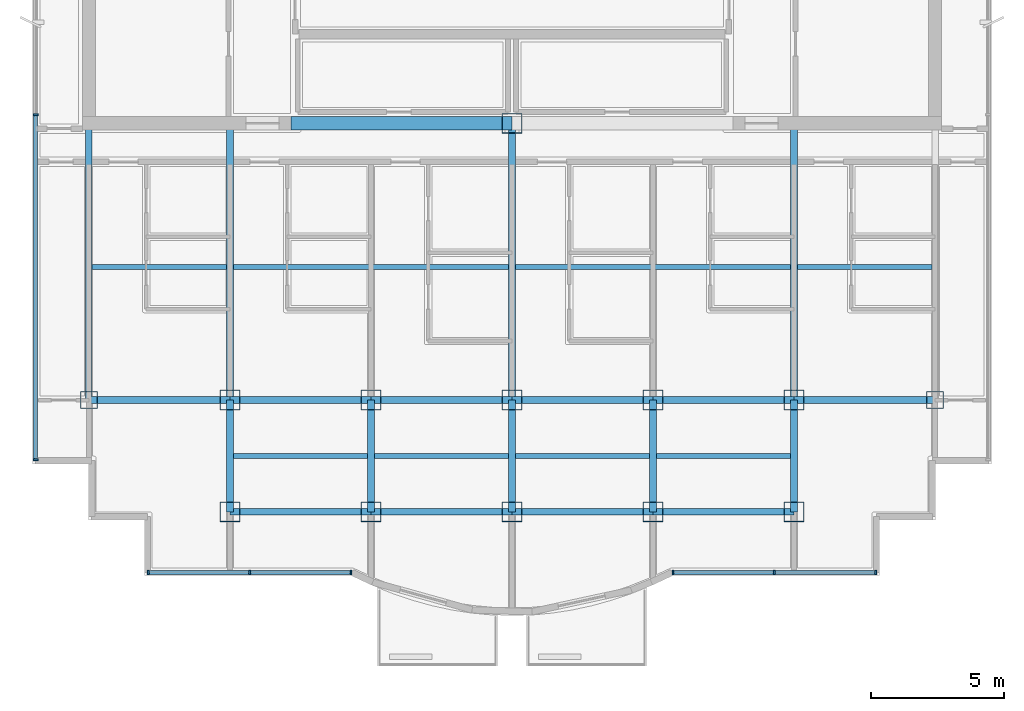
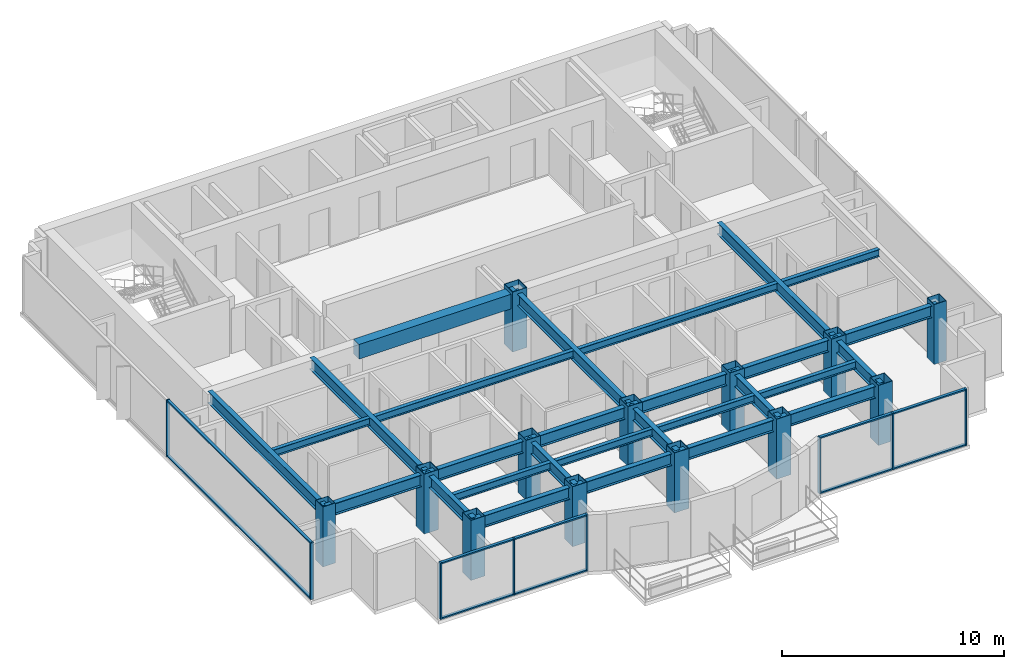
# One storey, part 1 of 10: 28 beams, 18 members, 13 columns, 3 elements without a shape of their own.
"""IFC4 building model written with IfcOpenShell, lengths in metres."""

from ifc_helpers import new_model, si_unit, direction, frame, origin, origin_2d, place, context, subcontext, project, spatial, rectangle, hollow_rectangle, i_section, extrude, source, transform, mapped, material, layer, layer_set, material_profile, profile_set, type_object, element, aggregate, save


model = new_model("IFC4")

# Units and contexts
model_context = context("Model", 3, precision=1e-05, world=origin(), true_north=direction((0.0, 1.0)))
body_context = subcontext(model_context, "Body", "Model", "MODEL_VIEW")
ifc_project = project(units=[si_unit("LENGTHUNIT", "METRE"), si_unit("AREAUNIT", "SQUARE_METRE"), si_unit("VOLUMEUNIT", "CUBIC_METRE"), si_unit("PLANEANGLEUNIT", "RADIAN"), si_unit("MASSUNIT", "GRAM", prefix="KILO")], contexts=[model_context])

# Site, building, storey
site_placement = place(None, origin())
site = spatial("IfcSite", under=ifc_project, at=site_placement, CompositionType="ELEMENT")
building_placement = place(site_placement, origin())
building = spatial("IfcBuilding", under=site, at=building_placement, Name="Qianlan Lanfeng Residences", CompositionType="ELEMENT")
storey_placement = place(building_placement, frame((0.0, 0.0, 236.300048828125)))
storey = spatial("IfcBuildingStorey", under=building, at=storey_placement, Name="L65", CompositionType="ELEMENT", Elevation=236.300048828125)

# Columns
ifc_material_1 = material(Name="Steel SN490B", Category="steel")
ifc_material_profile_1 = material_profile(ifc_material_1, hollow_rectangle(XDim=0.75, YDim=0.75, WallThickness=0.02490234375, at=origin_2d()), Name="BOX 750x750x25")
ifc_profile_set_1 = profile_set([ifc_material_profile_1], Name="Steel SN490B")
column_type_1 = type_object("IfcColumnType", Name="C-B800", PredefinedType="COLUMN", material=ifc_profile_set_1)
for number, where, z_axis, x_axis, name in (
    (1, (26.5, 25.199951171875, 0.0), (0.0, 0.0, 1.0), (1.0, 0.0, 0.0), "L65 Structural Column CP_26.5_25.2"),
    (2, (15.89990234375, 14.800048828125, 0.0), (0.0, 0.0, 1.0), (1.0, 0.0, 0.0), "L65 Structural Column M_15.90_14.80"),
    (3, (15.89990234375, 10.60009765625, 0.0), (0.0, 0.0, 1.0), (1.0, 0.0, 0.0), "L65 Structural Column G_15.90_10.60"),
    (4, (21.199951171875, 14.800048828125, 0.0), (0.0, 0.0, 1.0), (1.0, 0.0, 0.0), "L65 Structural Column M_21.20_14.80"),
    (5, (21.199951171875, 10.60009765625, 0.0), (0.0, 0.0, 1.0), (1.0, 0.0, 0.0), "L65 Structural Column G_21.20_10.60"),
    (6, (26.5, 14.800048828125, 0.0), (0.0, 0.0, 1.0), (1.0, 0.0, 0.0), "L65 Structural Column M_26.50_14.80"),
    (7, (26.5, 10.60009765625, 0.0), (0.0, 0.0, 1.0), (1.0, 0.0, 0.0), "L65 Structural Column G_26.50_10.60"),
    (8, (31.800048828125, 14.800048828125, 0.0), (0.0, 0.0, 1.0), (1.0, 0.0, 0.0), "L65 Structural Column M_31.80_14.80"),
    (9, (31.800048828125, 10.60009765625, 0.0), (0.0, 0.0, 1.0), (1.0, 0.0, 0.0), "L65 Structural Column G_31.80_10.60"),
    (10, (37.10009765625, 14.800048828125, 0.0), (0.0, 0.0, 1.0), (1.0, 0.0, 0.0), "L65 Structural Column M_37.10_14.80"),
    (11, (37.10009765625, 10.60009765625, 0.0), (0.0, 0.0, 1.0), (1.0, 0.0, 0.0), "L65 Structural Column G_37.10_10.60"),
):
    element("IfcColumn", number, at=place(storey_placement, frame(where, z_axis=z_axis, x_axis=x_axis)), inside=storey, type_object=column_type_1, Name=name, PredefinedType="COLUMN", context=body_context, shape_type="SweptSolid", body=[
        extrude(hollow_rectangle(XDim=0.75, YDim=0.75, WallThickness=0.02490234375, at=origin_2d()), origin(), (0.0, 0.0, 1.0), 3.300048828125),
    ])
ifc_material_profile_2 = material_profile(ifc_material_1, hollow_rectangle(XDim=0.64990234375, YDim=0.64990234375, WallThickness=0.02197265625, at=origin_2d()), Name="BOX 650x650x22")
ifc_profile_set_2 = profile_set([ifc_material_profile_2], Name="Steel SN490B")
column_type_2 = type_object("IfcColumnType", Name="CE-B700", PredefinedType="COLUMN", material=ifc_profile_set_2)
for number, where, z_axis, x_axis, name in (
    (12, (10.60009765625, 14.800048828125, 0.0), (0.0, 0.0, 1.0), (1.0, 0.0, 0.0), "L65 Structural Column M_10.60_14.80"),
    (13, (42.39990234375, 14.800048828125, 0.0), (0.0, 0.0, 1.0), (1.0, 0.0, 0.0), "L65 Structural Column M_42.40_14.80"),
):
    element("IfcColumn", number, at=place(storey_placement, frame(where, z_axis=z_axis, x_axis=x_axis)), inside=storey, type_object=column_type_2, Name=name, PredefinedType="COLUMN", context=body_context, shape_type="SweptSolid", body=[
        extrude(hollow_rectangle(XDim=0.64990234375, YDim=0.64990234375, WallThickness=0.02197265625, at=origin_2d()), origin(), (0.0, 0.0, 1.0), 3.300048828125),
    ])

# Beams
ifc_material_profile_3 = material_profile(ifc_material_1, i_section(OverallWidth=0.25, OverallDepth=0.64990234375, WebThickness=0.012939453125, FlangeThickness=0.02197265625, at=origin_2d()), Name="H 650x250x13x22")
ifc_profile_set_3 = profile_set([ifc_material_profile_3], Name="Steel SN490B")
beam_type_1 = type_object("IfcBeamType", Name="G-650", PredefinedType="BEAM", material=ifc_profile_set_3)
for number, where, z_axis, x_axis, name in (
    (14, (15.89990234375, 10.60009765625, 2.784912109375), (1.0, 0.0, 0.0), (0.0, 1.0, 0.0), "Structural beam G-650"),
    (15, (21.199951171875, 10.60009765625, 2.784912109375), (1.0, 0.0, 0.0), (0.0, 1.0, 0.0), "Structural beam G-650"),
    (16, (26.5, 10.60009765625, 2.784912109375), (1.0, 0.0, 0.0), (0.0, 1.0, 0.0), "Structural beam G-650"),
    (17, (31.800048828125, 10.60009765625, 2.784912109375), (1.0, 0.0, 0.0), (0.0, 1.0, 0.0), "Structural beam G-650"),
):
    element("IfcBeam", number, at=place(storey_placement, frame(where, z_axis=z_axis, x_axis=x_axis)), inside=storey, type_object=beam_type_1, Name=name, PredefinedType="BEAM", context=body_context, shape_type="SweptSolid", body=[
        extrude(i_section(OverallWidth=0.25, OverallDepth=0.64990234375, WebThickness=0.012939453125, FlangeThickness=0.02197265625, at=origin_2d()), origin(), (0.0, 0.0, 1.0), 5.300048828125),
    ])
beam_1_placement = place(storey_placement, frame((10.60009765625, 14.800048828125, 2.784912109375), z_axis=(1.0, 0.0, 0.0), x_axis=(0.0, 1.0, 0.0)))
element("IfcBeam", 18, at=beam_1_placement, inside=storey, type_object=beam_type_1, Name="Structural beam G-650", PredefinedType="BEAM", context=body_context, shape_type="SweptSolid", body=[
    extrude(i_section(OverallWidth=0.25, OverallDepth=0.64990234375, WebThickness=0.012939453125, FlangeThickness=0.02197265625, at=origin_2d()), origin(), (0.0, 0.0, 1.0), 5.2998046875),
])
for number, where, z_axis, x_axis, name in (
    (19, (15.89990234375, 14.800048828125, 2.784912109375), (1.0, 0.0, 0.0), (0.0, 1.0, 0.0), "Structural beam G-650"),
    (20, (21.199951171875, 14.800048828125, 2.784912109375), (1.0, 0.0, 0.0), (0.0, 1.0, 0.0), "Structural beam G-650"),
    (21, (26.5, 14.800048828125, 2.784912109375), (1.0, 0.0, 0.0), (0.0, 1.0, 0.0), "Structural beam G-650"),
    (22, (31.800048828125, 14.800048828125, 2.784912109375), (1.0, 0.0, 0.0), (0.0, 1.0, 0.0), "Structural beam G-650"),
):
    element("IfcBeam", number, at=place(storey_placement, frame(where, z_axis=z_axis, x_axis=x_axis)), inside=storey, type_object=beam_type_1, Name=name, PredefinedType="BEAM", context=body_context, shape_type="SweptSolid", body=[
        extrude(i_section(OverallWidth=0.25, OverallDepth=0.64990234375, WebThickness=0.012939453125, FlangeThickness=0.02197265625, at=origin_2d()), origin(), (0.0, 0.0, 1.0), 5.300048828125),
    ])
beam_2_placement = place(storey_placement, frame((37.10009765625, 14.800048828125, 2.784912109375), z_axis=(1.0, 0.0, 0.0), x_axis=(0.0, 1.0, 0.0)))
element("IfcBeam", 23, at=beam_2_placement, inside=storey, type_object=beam_type_1, Name="Structural beam G-650", PredefinedType="BEAM", context=body_context, shape_type="SweptSolid", body=[
    extrude(i_section(OverallWidth=0.25, OverallDepth=0.64990234375, WebThickness=0.012939453125, FlangeThickness=0.02197265625, at=origin_2d()), origin(), (0.0, 0.0, 1.0), 5.2998046875),
])
beam_3_placement = place(storey_placement, frame((10.60009765625, 14.800048828125, 2.784912109375), z_axis=(0.0, 1.0, 0.0), x_axis=(-1.0, 0.0, 0.0)))
element("IfcBeam", 24, at=beam_3_placement, inside=storey, type_object=beam_type_1, Name="Structural beam G-650", PredefinedType="BEAM", context=body_context, shape_type="SweptSolid", body=[
    extrude(i_section(OverallWidth=0.25, OverallDepth=0.64990234375, WebThickness=0.012939453125, FlangeThickness=0.02197265625, at=origin_2d()), origin(), (0.0, 0.0, 1.0), 10.39990234375),
])
beam_4_placement = place(storey_placement, frame((15.89990234375, 10.60009765625, 2.784912109375), z_axis=(0.0, 1.0, 0.0), x_axis=(-1.0, 0.0, 0.0)))
element("IfcBeam", 25, at=beam_4_placement, inside=storey, type_object=beam_type_1, Name="Structural beam G-650", PredefinedType="BEAM", context=body_context, shape_type="SweptSolid", body=[
    extrude(i_section(OverallWidth=0.25, OverallDepth=0.64990234375, WebThickness=0.012939453125, FlangeThickness=0.02197265625, at=origin_2d()), origin(), (0.0, 0.0, 1.0), 4.199951171875),
])
beam_5_placement = place(storey_placement, frame((15.89990234375, 14.800048828125, 2.784912109375), z_axis=(0.0, 1.0, 0.0), x_axis=(-1.0, 0.0, 0.0)))
element("IfcBeam", 26, at=beam_5_placement, inside=storey, type_object=beam_type_1, Name="Structural beam G-650", PredefinedType="BEAM", context=body_context, shape_type="SweptSolid", body=[
    extrude(i_section(OverallWidth=0.25, OverallDepth=0.64990234375, WebThickness=0.012939453125, FlangeThickness=0.02197265625, at=origin_2d()), origin(), (0.0, 0.0, 1.0), 10.39990234375),
])
for number, where, z_axis, x_axis, name in (
    (27, (21.199951171875, 10.60009765625, 2.784912109375), (0.0, 1.0, 0.0), (-1.0, 0.0, 0.0), "Structural beam G-650"),
    (28, (26.5, 10.60009765625, 2.784912109375), (0.0, 1.0, 0.0), (-1.0, 0.0, 0.0), "Structural beam G-650"),
):
    element("IfcBeam", number, at=place(storey_placement, frame(where, z_axis=z_axis, x_axis=x_axis)), inside=storey, type_object=beam_type_1, Name=name, PredefinedType="BEAM", context=body_context, shape_type="SweptSolid", body=[
        extrude(i_section(OverallWidth=0.25, OverallDepth=0.64990234375, WebThickness=0.012939453125, FlangeThickness=0.02197265625, at=origin_2d()), origin(), (0.0, 0.0, 1.0), 4.199951171875),
    ])
beam_6_placement = place(storey_placement, frame((26.5, 14.800048828125, 2.784912109375), z_axis=(0.0, 1.0, 0.0), x_axis=(-1.0, 0.0, 0.0)))
element("IfcBeam", 29, at=beam_6_placement, inside=storey, type_object=beam_type_1, Name="Structural beam G-650", PredefinedType="BEAM", context=body_context, shape_type="SweptSolid", body=[
    extrude(i_section(OverallWidth=0.25, OverallDepth=0.64990234375, WebThickness=0.012939453125, FlangeThickness=0.02197265625, at=origin_2d()), origin(), (0.0, 0.0, 1.0), 10.39990234375),
])
for number, where, z_axis, x_axis, name in (
    (30, (31.800048828125, 10.60009765625, 2.784912109375), (0.0, 1.0, 0.0), (-1.0, 0.0, 0.0), "Structural beam G-650"),
    (31, (37.10009765625, 10.60009765625, 2.784912109375), (0.0, 1.0, 0.0), (-1.0, 0.0, 0.0), "Structural beam G-650"),
):
    element("IfcBeam", number, at=place(storey_placement, frame(where, z_axis=z_axis, x_axis=x_axis)), inside=storey, type_object=beam_type_1, Name=name, PredefinedType="BEAM", context=body_context, shape_type="SweptSolid", body=[
        extrude(i_section(OverallWidth=0.25, OverallDepth=0.64990234375, WebThickness=0.012939453125, FlangeThickness=0.02197265625, at=origin_2d()), origin(), (0.0, 0.0, 1.0), 4.199951171875),
    ])
beam_7_placement = place(storey_placement, frame((37.10009765625, 14.800048828125, 2.784912109375), z_axis=(0.0, 1.0, 0.0), x_axis=(-1.0, 0.0, 0.0)))
element("IfcBeam", 32, at=beam_7_placement, inside=storey, type_object=beam_type_1, Name="Structural beam G-650", PredefinedType="BEAM", context=body_context, shape_type="SweptSolid", body=[
    extrude(i_section(OverallWidth=0.25, OverallDepth=0.64990234375, WebThickness=0.012939453125, FlangeThickness=0.02197265625, at=origin_2d()), origin(), (0.0, 0.0, 1.0), 10.39990234375),
])
ifc_material_profile_4 = material_profile(ifc_material_1, i_section(OverallWidth=0.199951171875, OverallDepth=0.39990234375, WebThickness=0.008056640625, FlangeThickness=0.012939453125, at=origin_2d()), Name="H 400x200x8x13")
ifc_profile_set_4 = profile_set([ifc_material_profile_4], Name="Steel SN490B")
beam_type_2 = type_object("IfcBeamType", Name="J-400", PredefinedType="JOIST", material=ifc_profile_set_4)
for number, where, z_axis, x_axis, name in (
    (33, (16.02490234375, 12.699951171875, 2.909912109375), (1.0, 0.0, 0.0), (0.0, 1.0, 0.0), "Structural beam J-400"),
    (34, (21.324951171875, 12.699951171875, 2.909912109375), (1.0, 0.0, 0.0), (0.0, 1.0, 0.0), "Structural beam J-400"),
    (35, (26.625, 12.699951171875, 2.909912109375), (1.0, 0.0, 0.0), (0.0, 1.0, 0.0), "Structural beam J-400"),
    (36, (31.925048828125, 12.699951171875, 2.909912109375), (1.0, 0.0, 0.0), (0.0, 1.0, 0.0), "Structural beam J-400"),
):
    element("IfcBeam", number, at=place(storey_placement, frame(where, z_axis=z_axis, x_axis=x_axis)), inside=storey, type_object=beam_type_2, Name=name, PredefinedType="JOIST", context=body_context, shape_type="SweptSolid", body=[
        extrude(i_section(OverallWidth=0.199951171875, OverallDepth=0.39990234375, WebThickness=0.008056640625, FlangeThickness=0.012939453125, at=origin_2d()), origin(), (0.0, 0.0, 1.0), 5.050048828125),
    ])
beam_8_placement = place(storey_placement, frame((10.72509765625, 19.800048828125, 2.909912109375), z_axis=(1.0, 0.0, 0.0), x_axis=(0.0, 1.0, 0.0)))
element("IfcBeam", 37, at=beam_8_placement, inside=storey, type_object=beam_type_2, Name="Structural beam J-400", PredefinedType="JOIST", context=body_context, shape_type="SweptSolid", body=[
    extrude(i_section(OverallWidth=0.199951171875, OverallDepth=0.39990234375, WebThickness=0.008056640625, FlangeThickness=0.012939453125, at=origin_2d()), origin(), (0.0, 0.0, 1.0), 5.0498046875),
])
for number, where, z_axis, x_axis, name in (
    (38, (16.02490234375, 19.800048828125, 2.909912109375), (1.0, 0.0, 0.0), (0.0, 1.0, 0.0), "Structural beam J-400"),
    (39, (26.625, 19.800048828125, 2.909912109375), (1.0, 0.0, 0.0), (0.0, 1.0, 0.0), "Structural beam J-400"),
):
    element("IfcBeam", number, at=place(storey_placement, frame(where, z_axis=z_axis, x_axis=x_axis)), inside=storey, type_object=beam_type_2, Name=name, PredefinedType="JOIST", context=body_context, shape_type="SweptSolid", body=[
        extrude(i_section(OverallWidth=0.199951171875, OverallDepth=0.39990234375, WebThickness=0.008056640625, FlangeThickness=0.012939453125, at=origin_2d()), origin(), (0.0, 0.0, 1.0), 10.35009765625),
    ])
beam_9_placement = place(storey_placement, frame((37.22509765625, 19.800048828125, 2.909912109375), z_axis=(1.0, 0.0, 0.0), x_axis=(0.0, 1.0, 0.0)))
element("IfcBeam", 40, at=beam_9_placement, inside=storey, type_object=beam_type_2, Name="Structural beam J-400", PredefinedType="JOIST", context=body_context, shape_type="SweptSolid", body=[
    extrude(i_section(OverallWidth=0.199951171875, OverallDepth=0.39990234375, WebThickness=0.008056640625, FlangeThickness=0.012939453125, at=origin_2d()), origin(), (0.0, 0.0, 1.0), 5.0498046875),
])
ifc_material_2 = material(Name="Concrete C49", Category="concrete")
ifc_material_profile_5 = material_profile(ifc_material_2, rectangle(XDim=0.5, YDim=0.800048828125, at=origin_2d()), Name="RC 500x800")
ifc_profile_set_5 = profile_set([ifc_material_profile_5], Name="Concrete C49")
beam_type_3 = type_object("IfcBeamType", Name="LB-RC750", PredefinedType="BEAM", material=ifc_profile_set_5)
beam_10_placement = place(storey_placement, frame((18.199951171875, 25.199951171875, 2.7099609375), z_axis=(1.0, 0.0, 0.0), x_axis=(0.0, 1.0, 0.0)))
element("IfcBeam", 41, at=beam_10_placement, inside=storey, type_object=beam_type_3, Name="L65 Core Coupling Beam W", PredefinedType="BEAM", context=body_context, shape_type="SweptSolid", body=[
    extrude(rectangle(XDim=0.5, YDim=0.800048828125, at=origin_2d()), origin(), (0.0, 0.0, 1.0), 8.300048828125),
])

# Curtain wall, members
ifc_material_3 = material(Name="Anodised Bronze Aluminium 6063-T6", Category="aluminium")
ifc_layer = layer(ifc_material_3, 0.219970703125)
ifc_layer_set = layer_set([ifc_layer], Name="Anodised Bronze Aluminium 6063-T6")
curtain_wall_type = type_object("IfcCurtainWallType", Name="CW-06", PredefinedType="NOTDEFINED", material=ifc_layer_set)
curtain_wall_1_placement = place(storey_placement, origin())
curtain_wall_1 = element("IfcCurtainWall", 42, at=curtain_wall_1_placement, inside=storey, type_object=curtain_wall_type, Name="L65 Unitised Curtain Wall CWR-L65-01 (CW-06)", PredefinedType="NOTDEFINED")
ifc_material_profile_6 = material_profile(ifc_material_3, rectangle(XDim=0.074951171875, YDim=0.179931640625, at=origin_2d()), Name="ALU MULLION 75x180")
ifc_profile_set_6 = profile_set([ifc_material_profile_6], Name="Anodised Bronze Aluminium 6063-T6")
member_type_1 = type_object("IfcMemberType", Name="CWM-180", PredefinedType="MULLION", material=ifc_profile_set_6)
shared_shape_1 = source(origin(), body_context, "Body", "SweptSolid", [
    extrude(rectangle(XDim=0.074951171875, YDim=0.179931640625, at=origin_2d()), origin(), (0.0, 0.0, 1.0), 3.10986328125),
])
member_1_placement = place(storey_placement, frame((12.83740234375, 8.320068359375, 0.0), z_axis=(0.0, 0.0, 1.0), x_axis=(1.0, 0.0, 0.0)))
member_1 = element("IfcMember", 43, at=member_1_placement, type_object=member_type_1, Name="CWR-L65-01 Mullion 1", PredefinedType="MULLION", context=body_context, shape_type="MappedRepresentation", body=[
    mapped(shared_shape_1, transform((0.0, 0.0, 0.0), scale=1.0)),
])
member_2_placement = place(storey_placement, frame((16.6435546875, 8.320068359375, 0.0), z_axis=(0.0, 0.0, 1.0), x_axis=(1.0, 0.0, 0.0)))
member_2 = element("IfcMember", 44, at=member_2_placement, type_object=member_type_1, Name="CWR-L65-01 Mullion 2", PredefinedType="MULLION", context=body_context, shape_type="MappedRepresentation", body=[
    mapped(shared_shape_1, transform((0.0, 0.0, 0.0), scale=1.0)),
])
member_3_placement = place(storey_placement, frame((20.449462890625, 8.320068359375, 0.0), z_axis=(0.0, 0.0, 1.0), x_axis=(1.0, 0.0, 0.0)))
member_3 = element("IfcMember", 45, at=member_3_placement, type_object=member_type_1, Name="CWR-L65-01 Mullion 3", PredefinedType="MULLION", context=body_context, shape_type="MappedRepresentation", body=[
    mapped(shared_shape_1, transform((0.0, 0.0, 0.0), scale=1.0)),
])

curtain_wall_2_placement = place(storey_placement, origin())
curtain_wall_2 = element("IfcCurtainWall", 46, at=curtain_wall_2_placement, inside=storey, type_object=curtain_wall_type, Name="L65 Unitised Curtain Wall CWR-L65-02 (CW-06)", PredefinedType="NOTDEFINED")
member_4_placement = place(storey_placement, frame((32.550537109375, 8.320068359375, 0.0), z_axis=(0.0, 0.0, 1.0), x_axis=(1.0, 0.0, 0.0)))
member_4 = element("IfcMember", 47, at=member_4_placement, type_object=member_type_1, Name="CWR-L65-02 Mullion 1", PredefinedType="MULLION", context=body_context, shape_type="MappedRepresentation", body=[
    mapped(shared_shape_1, transform((0.0, 0.0, 0.0), scale=1.0)),
])
member_5_placement = place(storey_placement, frame((36.3564453125, 8.320068359375, 0.0), z_axis=(0.0, 0.0, 1.0), x_axis=(1.0, 0.0, 0.0)))
member_5 = element("IfcMember", 48, at=member_5_placement, type_object=member_type_1, Name="CWR-L65-02 Mullion 2", PredefinedType="MULLION", context=body_context, shape_type="MappedRepresentation", body=[
    mapped(shared_shape_1, transform((0.0, 0.0, 0.0), scale=1.0)),
])
member_6_placement = place(storey_placement, frame((40.16259765625, 8.320068359375, 0.0), z_axis=(0.0, 0.0, 1.0), x_axis=(1.0, 0.0, 0.0)))
member_6 = element("IfcMember", 49, at=member_6_placement, type_object=member_type_1, Name="CWR-L65-02 Mullion 3", PredefinedType="MULLION", context=body_context, shape_type="MappedRepresentation", body=[
    mapped(shared_shape_1, transform((0.0, 0.0, 0.0), scale=1.0)),
])

curtain_wall_3_placement = place(storey_placement, origin())
curtain_wall_3 = element("IfcCurtainWall", 50, at=curtain_wall_3_placement, inside=storey, type_object=curtain_wall_type, Name="L65 Unitised Curtain Wall CWR-L65-04 (CW-06)", PredefinedType="NOTDEFINED")
member_7_placement = place(storey_placement, frame((8.60009765625, 25.52490234375, 0.0), z_axis=(0.0, 0.0, 1.0), x_axis=(0.0, -1.0, 0.0)))
member_7 = element("IfcMember", 51, at=member_7_placement, type_object=member_type_1, Name="CWR-L65-04 Mullion 2", PredefinedType="MULLION", context=body_context, shape_type="MappedRepresentation", body=[
    mapped(shared_shape_1, transform((0.0, 0.0, 0.0), scale=1.0)),
])
member_8_placement = place(storey_placement, frame((8.60009765625, 12.5576171875, 0.0), z_axis=(0.0, 0.0, 1.0), x_axis=(0.0, -1.0, 0.0)))
member_8 = element("IfcMember", 52, at=member_8_placement, type_object=member_type_1, Name="CWR-L65-04 Mullion 3", PredefinedType="MULLION", context=body_context, shape_type="MappedRepresentation", body=[
    mapped(shared_shape_1, transform((0.0, 0.0, 0.0), scale=1.0)),
])

# Member
ifc_material_profile_7 = material_profile(ifc_material_3, rectangle(XDim=0.074951171875, YDim=0.14990234375, at=origin_2d()), Name="ALU TRANSOM 75x150")
ifc_profile_set_7 = profile_set([ifc_material_profile_7], Name="Anodised Bronze Aluminium 6063-T6")
member_type_2 = type_object("IfcMemberType", Name="CWT-150", PredefinedType="USERDEFINED", material=ifc_profile_set_7)
shared_shape_2 = source(origin(), body_context, "Body", "SweptSolid", [
    extrude(rectangle(XDim=0.074951171875, YDim=0.14990234375, at=origin_2d()), origin(), (0.0, 0.0, 1.0), 3.73095703125),
])
member_9_placement = place(storey_placement, frame((12.875, 8.320068359375, 0.037353515625), z_axis=(1.0, 0.0, 0.0), x_axis=(0.0, 0.0, 1.0)))
member_9 = element("IfcMember", 53, at=member_9_placement, type_object=member_type_2, Name="CWR-L65-01 Transom 1-BOT", ObjectType="TRANSOM", PredefinedType="USERDEFINED", context=body_context, shape_type="MappedRepresentation", body=[
    mapped(shared_shape_2, transform((0.0, 0.0, 0.0), scale=1.0)),
])

member_10_placement = place(storey_placement, frame((12.875, 8.320068359375, 3.072509765625), z_axis=(1.0, 0.0, 0.0), x_axis=(0.0, 0.0, 1.0)))
member_10 = element("IfcMember", 54, at=member_10_placement, type_object=member_type_2, Name="CWR-L65-01 Transom 1-TOP", ObjectType="TRANSOM", PredefinedType="USERDEFINED", context=body_context, shape_type="MappedRepresentation", body=[
    mapped(shared_shape_2, transform((0.0, 0.0, 0.0), scale=1.0)),
])

member_11_placement = place(storey_placement, frame((36.39404296875, 8.320068359375, 0.037353515625), z_axis=(1.0, 0.0, 0.0), x_axis=(0.0, 0.0, 1.0)))
member_11 = element("IfcMember", 55, at=member_11_placement, type_object=member_type_2, Name="CWR-L65-02 Transom 2-BOT", ObjectType="TRANSOM", PredefinedType="USERDEFINED", context=body_context, shape_type="MappedRepresentation", body=[
    mapped(shared_shape_2, transform((0.0, 0.0, 0.0), scale=1.0)),
])

member_12_placement = place(storey_placement, frame((36.39404296875, 8.320068359375, 3.072509765625), z_axis=(1.0, 0.0, 0.0), x_axis=(0.0, 0.0, 1.0)))
member_12 = element("IfcMember", 56, at=member_12_placement, type_object=member_type_2, Name="CWR-L65-02 Transom 2-TOP", ObjectType="TRANSOM", PredefinedType="USERDEFINED", context=body_context, shape_type="MappedRepresentation", body=[
    mapped(shared_shape_2, transform((0.0, 0.0, 0.0), scale=1.0)),
])

shared_shape_3 = source(origin(), body_context, "Body", "SweptSolid", [
    extrude(rectangle(XDim=0.074951171875, YDim=0.14990234375, at=origin_2d()), origin(), (0.0, 0.0, 1.0), 3.731201171875),
])
member_13_placement = place(storey_placement, frame((16.680908203125, 8.320068359375, 0.037353515625), z_axis=(1.0, 0.0, 0.0), x_axis=(0.0, 0.0, 1.0)))
member_13 = element("IfcMember", 57, at=member_13_placement, type_object=member_type_2, Name="CWR-L65-01 Transom 2-BOT", ObjectType="TRANSOM", PredefinedType="USERDEFINED", context=body_context, shape_type="MappedRepresentation", body=[
    mapped(shared_shape_3, transform((0.0, 0.0, 0.0), scale=1.0)),
])

member_14_placement = place(storey_placement, frame((16.680908203125, 8.320068359375, 3.072509765625), z_axis=(1.0, 0.0, 0.0), x_axis=(0.0, 0.0, 1.0)))
member_14 = element("IfcMember", 58, at=member_14_placement, type_object=member_type_2, Name="CWR-L65-01 Transom 2-TOP", ObjectType="TRANSOM", PredefinedType="USERDEFINED", context=body_context, shape_type="MappedRepresentation", body=[
    mapped(shared_shape_3, transform((0.0, 0.0, 0.0), scale=1.0)),
])

aggregate(curtain_wall_1, [member_1, member_2, member_3, member_9, member_10, member_13, member_14])

member_15_placement = place(storey_placement, frame((32.587890625, 8.320068359375, 0.037353515625), z_axis=(1.0, 0.0, 0.0), x_axis=(0.0, 0.0, 1.0)))
member_15 = element("IfcMember", 59, at=member_15_placement, type_object=member_type_2, Name="CWR-L65-02 Transom 1-BOT", ObjectType="TRANSOM", PredefinedType="USERDEFINED", context=body_context, shape_type="MappedRepresentation", body=[
    mapped(shared_shape_3, transform((0.0, 0.0, 0.0), scale=1.0)),
])

member_16_placement = place(storey_placement, frame((32.587890625, 8.320068359375, 3.072509765625), z_axis=(1.0, 0.0, 0.0), x_axis=(0.0, 0.0, 1.0)))
member_16 = element("IfcMember", 60, at=member_16_placement, type_object=member_type_2, Name="CWR-L65-02 Transom 1-TOP", ObjectType="TRANSOM", PredefinedType="USERDEFINED", context=body_context, shape_type="MappedRepresentation", body=[
    mapped(shared_shape_3, transform((0.0, 0.0, 0.0), scale=1.0)),
])

aggregate(curtain_wall_2, [member_4, member_5, member_6, member_15, member_16, member_11, member_12])

shared_shape_4 = source(origin(), body_context, "Body", "SweptSolid", [
    extrude(rectangle(XDim=0.074951171875, YDim=0.14990234375, at=origin_2d()), origin(), (0.0, 0.0, 1.0), 12.892578125),
])
member_17_placement = place(storey_placement, frame((8.60009765625, 25.487548828125, 0.037353515625), z_axis=(0.0, -1.0, 0.0), x_axis=(0.0, 0.0, 1.0)))
member_17 = element("IfcMember", 61, at=member_17_placement, type_object=member_type_2, Name="CWR-L65-04 Transom 2-BOT", ObjectType="TRANSOM", PredefinedType="USERDEFINED", context=body_context, shape_type="MappedRepresentation", body=[
    mapped(shared_shape_4, transform((0.0, 0.0, 0.0), scale=1.0)),
])

member_18_placement = place(storey_placement, frame((8.60009765625, 25.487548828125, 3.072509765625), z_axis=(0.0, -1.0, 0.0), x_axis=(0.0, 0.0, 1.0)))
member_18 = element("IfcMember", 62, at=member_18_placement, type_object=member_type_2, Name="CWR-L65-04 Transom 2-TOP", ObjectType="TRANSOM", PredefinedType="USERDEFINED", context=body_context, shape_type="MappedRepresentation", body=[
    mapped(shared_shape_4, transform((0.0, 0.0, 0.0), scale=1.0)),
])

aggregate(curtain_wall_3, [member_7, member_8, member_17, member_18])

save(model, "model.ifc")
